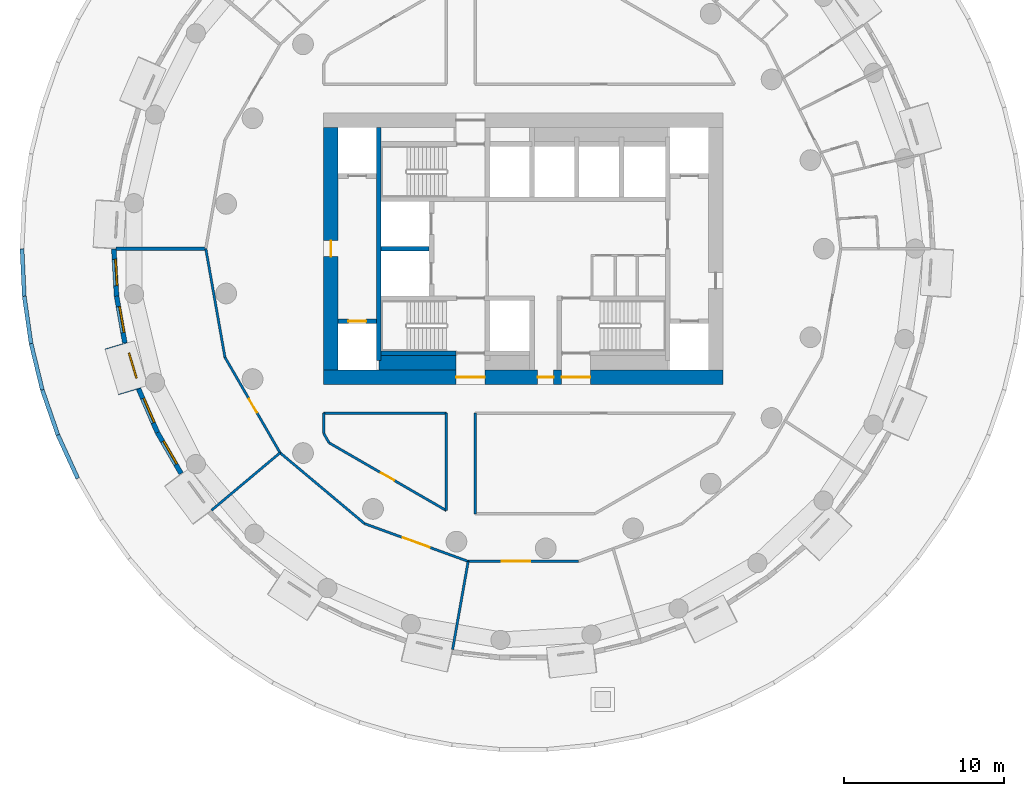
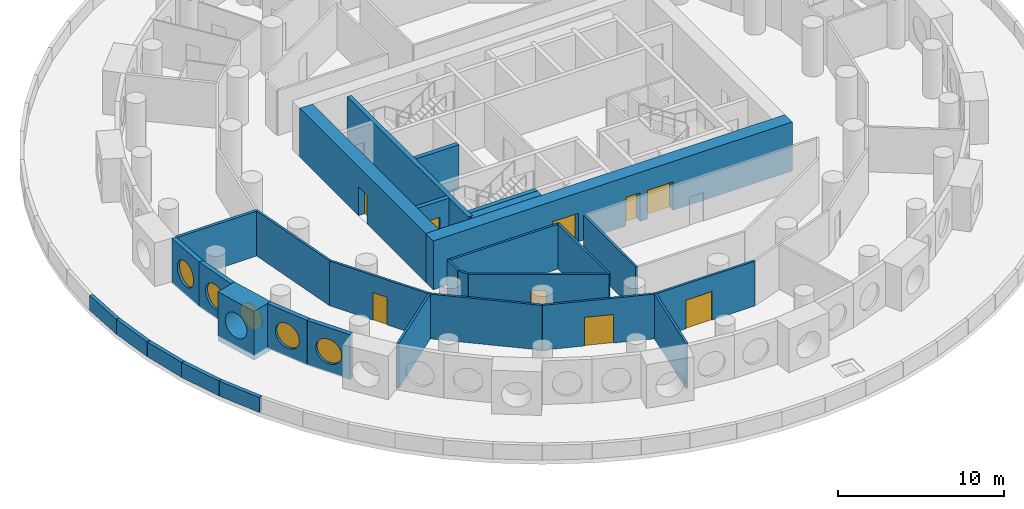
# One storey, part 3 of 13: 31 walls, 9 doors, 5 windows, 14 openings.
"""IFC4 building model written with IfcOpenShell, lengths in metres."""

from ifc_helpers import new_model, si_unit, direction, frame, frame_2d, origin, origin_2d, place, context, subcontext, project, spatial, rectangle, circle, extrude, material, layer, layer_set, type_object, element, fill, save


model = new_model("IFC4")

# Units and contexts
model_context = context("Model", 3, precision=1e-05, world=origin(), true_north=direction((0.0, 1.0)))
body_context = subcontext(model_context, "Body", "Model", "MODEL_VIEW")
ifc_project = project(units=[si_unit("LENGTHUNIT", "METRE"), si_unit("AREAUNIT", "SQUARE_METRE"), si_unit("VOLUMEUNIT", "CUBIC_METRE"), si_unit("PLANEANGLEUNIT", "RADIAN"), si_unit("MASSUNIT", "GRAM", prefix="KILO")], contexts=[model_context])

# Site, building, storey
site_placement = place(None, origin())
site = spatial("IfcSite", under=ifc_project, at=site_placement, CompositionType="ELEMENT")
building_placement = place(site_placement, origin())
building = spatial("IfcBuilding", under=site, at=building_placement, Name="Tracery Tower", CompositionType="ELEMENT")
storey_placement = place(building_placement, frame((0.0, 0.0, 126.0)))
storey = spatial("IfcBuildingStorey", under=building, at=storey_placement, Name="L31", CompositionType="ELEMENT", Elevation=126.0)

# Wall
ifc_material_1 = material(Name="Concrete C50/60", Category="concrete")
ifc_layer_1 = layer(ifc_material_1, 0.89990234375)
ifc_layer_set_1 = layer_set([ifc_layer_1], Name="Core strip wall 900 C50")
wall_type_1 = type_object("IfcWallType", Name="Core strip wall 900 C50", PredefinedType="SOLIDWALL", material=ifc_layer_set_1)
wall_1_placement = place(storey_placement, frame((-9.050048828125, -7.14990234375, 0.0), z_axis=(0.0, 0.0, 1.0), x_axis=(1.0, 0.0, 0.0)))
element("IfcWall", 1, at=wall_1_placement, inside=storey, type_object=wall_type_1, Name="L31 F thick S W", PredefinedType="SOLIDWALL", context=body_context, shape_type="SweptSolid", body=[
    extrude(rectangle(XDim=4.85009765625, YDim=0.89990234375, at=frame_2d((2.425048828125, 0.0))), origin(), (0.0, 0.0, 1.0), 3.300048828125),
])

# Wall, openings, doors
ifc_material_2 = material(Name="Concrete C50/60", Category="concrete")
ifc_layer_2 = layer(ifc_material_2, 0.89990234375)
ifc_layer_set_2 = layer_set([ifc_layer_2], Name="Core wall 900 C50")
wall_type_2 = type_object("IfcWallType", Name="Core wall 900 C50", PredefinedType="SOLIDWALL", material=ifc_layer_set_2)
wall_2_placement = place(storey_placement, frame((-12.5, -8.050048828125, 0.0), z_axis=(0.0, 0.0, 1.0), x_axis=(1.0, 0.0, 0.0)))
wall_2 = element("IfcWall", 2, at=wall_2_placement, inside=storey, type_object=wall_type_2, Name="L31 outer S", PredefinedType="SOLIDWALL", context=body_context, shape_type="SweptSolid", body=[
    extrude(rectangle(XDim=25.0, YDim=0.89990234375, at=frame_2d((12.5, 0.0))), origin(), (0.0, 0.0, 1.0), 3.60009765625),
])
opening_1_placement = place(wall_2_placement, frame((13.39990234375, 0.0, 0.0)))
opening_1 = element("IfcOpeningElement", 3, at=opening_1_placement, cuts=wall_2, Name="Opening KD16", PredefinedType="OPENING", context=body_context, shape_type="SweptSolid", body=[
    extrude(rectangle(XDim=1.0, YDim=2.10009765625, at=frame_2d((0.5, 1.050048828125))), frame((0.0, 0.449951171875, 0.0), z_axis=(0.0, -1.0, 0.0), x_axis=(1.0, 0.0, 0.0)), (0.0, 0.0, 1.0), 0.89990234375),
])
opening_2_placement = place(wall_2_placement, frame((8.300048828125, 0.0, 0.0)))
opening_2 = element("IfcOpeningElement", 4, at=opening_2_placement, cuts=wall_2, Name="Opening KD13", PredefinedType="OPENING", context=body_context, shape_type="SweptSolid", body=[
    extrude(rectangle(XDim=1.800048828125, YDim=2.10009765625, at=frame_2d((0.89990234375, 1.050048828125))), frame((0.0, 0.449951171875, 0.0), z_axis=(0.0, -1.0, 0.0), x_axis=(1.0, 0.0, 0.0)), (0.0, 0.0, 1.0), 0.89990234375),
])
opening_3_placement = place(wall_2_placement, frame((14.89990234375, 0.0, 0.0)))
opening_3 = element("IfcOpeningElement", 5, at=opening_3_placement, cuts=wall_2, Name="Opening KD13", PredefinedType="OPENING", context=body_context, shape_type="SweptSolid", body=[
    extrude(rectangle(XDim=1.800048828125, YDim=2.10009765625, at=frame_2d((0.89990234375, 1.050048828125))), frame((0.0, 0.449951171875, 0.0), z_axis=(0.0, -1.0, 0.0), x_axis=(1.0, 0.0, 0.0)), (0.0, 0.0, 1.0), 0.89990234375),
])
ifc_material_3 = material(Name="Steel fire door", Category="steel")
door_type_1 = type_object("IfcDoorType", Name="Core exit door 1000", OperationType="NOTDEFINED", PredefinedType="DOOR", material=ifc_material_3)
door_1_placement = place(opening_1_placement, origin())
door_1 = element("IfcDoor", 6, at=door_1_placement, inside=storey, type_object=door_type_1, Name="Core exit door", OperationType="SINGLE_SWING_LEFT", OverallHeight=2.10009765625, OverallWidth=1.0, PredefinedType="DOOR", context=body_context, shape_type="SweptSolid", body=[
    extrude(rectangle(XDim=1.0, YDim=2.10009765625, at=frame_2d((0.5, 1.050048828125))), frame((0.0, 0.02490234375, 0.0), z_axis=(0.0, -1.0, 0.0), x_axis=(1.0, 0.0, 0.0)), (0.0, 0.0, 1.0), 0.050048828125),
])
fill(opening_1, door_1)
ifc_material_4 = material(Name="Steel fire door", Category="steel")
door_type_2 = type_object("IfcDoorType", Name="Core exit door 1800 double", OperationType="NOTDEFINED", PredefinedType="DOOR", material=ifc_material_4)
door_2_placement = place(opening_2_placement, origin())
door_2 = element("IfcDoor", 7, at=door_2_placement, inside=storey, type_object=door_type_2, Name="Core exit door", OperationType="DOUBLE_DOOR_SINGLE_SWING", OverallHeight=2.10009765625, OverallWidth=1.800048828125, PredefinedType="DOOR", context=body_context, shape_type="SweptSolid", body=[
    extrude(rectangle(XDim=1.800048828125, YDim=2.10009765625, at=frame_2d((0.89990234375, 1.050048828125))), frame((0.0, 0.02490234375, 0.0), z_axis=(0.0, -1.0, 0.0), x_axis=(1.0, 0.0, 0.0)), (0.0, 0.0, 1.0), 0.050048828125),
])
fill(opening_2, door_2)
door_3_placement = place(opening_3_placement, origin())
door_3 = element("IfcDoor", 8, at=door_3_placement, inside=storey, type_object=door_type_2, Name="Core exit door", OperationType="DOUBLE_DOOR_SINGLE_SWING", OverallHeight=2.10009765625, OverallWidth=1.800048828125, PredefinedType="DOOR", context=body_context, shape_type="SweptSolid", body=[
    extrude(rectangle(XDim=1.800048828125, YDim=2.10009765625, at=frame_2d((0.89990234375, 1.050048828125))), frame((0.0, 0.02490234375, 0.0), z_axis=(0.0, -1.0, 0.0), x_axis=(1.0, 0.0, 0.0)), (0.0, 0.0, 1.0), 0.050048828125),
])
fill(opening_3, door_3)

# Wall, opening, door
wall_3_placement = place(storey_placement, frame((-12.050048828125, -7.60009765625, 0.0), z_axis=(0.0, 0.0, 1.0), x_axis=(0.0, 1.0, 0.0)))
wall_3 = element("IfcWall", 9, at=wall_3_placement, inside=storey, type_object=wall_type_2, Name="L31 outer W", PredefinedType="SOLIDWALL", context=body_context, shape_type="SweptSolid", body=[
    extrude(rectangle(XDim=15.2001953125, YDim=0.89990234375, at=frame_2d((7.60009765625, 0.0))), origin(), (0.0, 0.0, 1.0), 3.60009765625),
])
opening_4_placement = place(wall_3_placement, frame((7.10009765625, 0.0, 0.0)))
opening_4 = element("IfcOpeningElement", 10, at=opening_4_placement, cuts=wall_3, Name="Opening KD18", PredefinedType="OPENING", context=body_context, shape_type="SweptSolid", body=[
    extrude(rectangle(XDim=1.0, YDim=2.10009765625, at=frame_2d((0.5, 1.050048828125))), frame((0.0, 0.449951171875, 0.0), z_axis=(0.0, -1.0, 0.0), x_axis=(1.0, 0.0, 0.0)), (0.0, 0.0, 1.0), 0.89990234375),
])
door_4_placement = place(opening_4_placement, origin())
door_4 = element("IfcDoor", 11, at=door_4_placement, inside=storey, type_object=door_type_1, Name="Core exit door", OperationType="DOUBLE_DOOR_SINGLE_SWING", OverallHeight=2.10009765625, OverallWidth=1.0, PredefinedType="DOOR", context=body_context, shape_type="SweptSolid", body=[
    extrude(rectangle(XDim=1.0, YDim=2.10009765625, at=frame_2d((0.5, 1.050048828125))), frame((0.0, 0.02490234375, 0.0), z_axis=(0.0, -1.0, 0.0), x_axis=(1.0, 0.0, 0.0)), (0.0, 0.0, 1.0), 0.050048828125),
])
fill(opening_4, door_4)

# Wall, opening, window
ifc_material_5 = material(Name="Precast concrete C50/60", Category="concrete")
ifc_layer_3 = layer(ifc_material_5, 1.449951171875)
ifc_layer_set_3 = layer_set([ifc_layer_3], Name="Deep-set bay unit 3000 x 3600, slab edge 300")
wall_type_3 = type_object("IfcWallType", Name="Deep-set bay unit 3000 x 3600, slab edge 300", PredefinedType="ELEMENTEDWALL", material=ifc_layer_set_3)
wall_4_placement = place(storey_placement, frame((-25.509521484375, -6.0712890625, -0.300048828125), z_axis=(0.0, 0.0, 1.0), x_axis=(0.286780420304, -0.957996341606, 0.0)))
wall_4 = element("IfcWall", 12, at=wall_4_placement, inside=storey, type_object=wall_type_3, Name="Deep-set bay unit 30 at L31", PredefinedType="ELEMENTEDWALL", context=body_context, shape_type="SweptSolid", body=[
    extrude(rectangle(XDim=3.0, YDim=1.449951171875, at=frame_2d((1.5, 0.0))), origin(), (0.0, 0.0, 1.0), 3.60009765625),
])
opening_5_placement = place(wall_4_placement, frame((1.5, 0.0, 1.85009765625)))
opening_5 = element("IfcOpeningElement", 13, at=opening_5_placement, cuts=wall_4, Name="Opening WN1", PredefinedType="OPENING", context=body_context, shape_type="SweptSolid", body=[
    extrude(circle(Radius=0.9000244140625, at=origin_2d()), frame((0.0, 0.73486328125, 0.0), z_axis=(0.0, -1.0, 0.0), x_axis=(1.0, 0.0, 0.0)), (0.0, 0.0, 1.0), 1.469970703125),
])
ifc_material_6 = material(Name="Aluminium frame with tinted double glazing", Category="aluminium")
window_type = type_object("IfcWindowType", Name="Round window 1800", PartitioningType="SINGLE_PANEL", PredefinedType="WINDOW", material=ifc_material_6)
window_1_placement = place(opening_5_placement, origin())
window_1 = element("IfcWindow", 14, at=window_1_placement, inside=storey, type_object=window_type, Name="Round window 30 at L31", OverallHeight=1.800048828125, OverallWidth=1.800048828125, PartitioningType="SINGLE_PANEL", PredefinedType="WINDOW", context=body_context, shape_type="SweptSolid", body=[
    extrude(circle(Radius=0.9000244140625, at=origin_2d()), frame((0.0, 0.69482421875, 0.0), z_axis=(0.0, -1.0, 0.0), x_axis=(1.0, 0.0, 0.0)), (0.0, 0.0, 1.0), 0.10009765625),
])
fill(opening_5, window_1)

ifc_material_7 = material(Name="Precast concrete C50/60", Category="concrete")
ifc_layer_4 = layer(ifc_material_7, 0.300048828125)
ifc_layer_set_4 = layer_set([ifc_layer_4], Name="Facade panel 3000 x 3300")
wall_type_4 = type_object("IfcWallType", Name="Facade panel 3000 x 3300", PredefinedType="SOLIDWALL", material=ifc_layer_set_4)
wall_5_placement = place(storey_placement, frame((-25.64697265625, -0.009521484375, 0.0), z_axis=(0.0, 0.0, 1.0), x_axis=(0.058139540521, -0.998308466271, 0.0)))
wall_5 = element("IfcWall", 15, at=wall_5_placement, inside=storey, type_object=wall_type_4, Name="Facade panel 28 at L31", PredefinedType="SOLIDWALL", context=body_context, shape_type="SweptSolid", body=[
    extrude(rectangle(XDim=2.97314453125, YDim=0.300048828125, at=frame_2d((1.486572265625, 0.0))), origin(), (0.0, 0.0, 1.0), 3.300048828125),
])
opening_6_placement = place(wall_5_placement, frame((1.486328125, 0.0, 1.5498046875)))
opening_6 = element("IfcOpeningElement", 16, at=opening_6_placement, cuts=wall_5, Name="Opening WN1", PredefinedType="OPENING", context=body_context, shape_type="SweptSolid", body=[
    extrude(circle(Radius=0.9000244140625, at=origin_2d()), frame((0.0, 0.159912109375, 0.0), z_axis=(0.0, -1.0, 0.0), x_axis=(1.0, 0.0, 0.0)), (0.0, 0.0, 1.0), 0.320068359375),
])
window_2_placement = place(opening_6_placement, origin())
window_2 = element("IfcWindow", 17, at=window_2_placement, inside=storey, type_object=window_type, Name="Round window 28 at L31", OverallHeight=1.800048828125, OverallWidth=1.800048828125, PartitioningType="SINGLE_PANEL", PredefinedType="WINDOW", context=body_context, shape_type="SweptSolid", body=[
    extrude(circle(Radius=0.9000244140625, at=origin_2d()), frame((0.0, 0.1201171875, 0.0), z_axis=(0.0, -1.0, 0.0), x_axis=(1.0, 0.0, 0.0)), (0.0, 0.0, 1.0), 0.10009765625),
])
fill(opening_6, window_2)

wall_6_placement = place(storey_placement, frame((-25.47412109375, -2.9775390625, 0.0), z_axis=(0.0, 0.0, 1.0), x_axis=(0.173686952598, -0.984800915159, 0.0)))
wall_6 = element("IfcWall", 18, at=wall_6_placement, inside=storey, type_object=wall_type_4, Name="Facade panel 29 at L31", PredefinedType="SOLIDWALL", context=body_context, shape_type="SweptSolid", body=[
    extrude(rectangle(XDim=2.972900390625, YDim=0.300048828125, at=frame_2d((1.486328125, 0.0))), origin(), (0.0, 0.0, 1.0), 3.300048828125),
])
opening_7_placement = place(wall_6_placement, frame((1.486328125, 0.0, 1.5498046875)))
opening_7 = element("IfcOpeningElement", 19, at=opening_7_placement, cuts=wall_6, Name="Opening WN1", PredefinedType="OPENING", context=body_context, shape_type="SweptSolid", body=[
    extrude(circle(Radius=0.9000244140625, at=origin_2d()), frame((0.0, 0.159912109375, 0.0), z_axis=(0.0, -1.0, 0.0), x_axis=(1.0, 0.0, 0.0)), (0.0, 0.0, 1.0), 0.320068359375),
])
window_3_placement = place(opening_7_placement, origin())
window_3 = element("IfcWindow", 20, at=window_3_placement, inside=storey, type_object=window_type, Name="Round window 29 at L31", OverallHeight=1.800048828125, OverallWidth=1.800048828125, PartitioningType="SINGLE_PANEL", PredefinedType="WINDOW", context=body_context, shape_type="SweptSolid", body=[
    extrude(circle(Radius=0.9000244140625, at=origin_2d()), frame((0.0, 0.1201171875, 0.0), z_axis=(0.0, -1.0, 0.0), x_axis=(1.0, 0.0, 0.0)), (0.0, 0.0, 1.0), 0.10009765625),
])
fill(opening_7, window_3)

wall_7_placement = place(storey_placement, frame((-24.096923828125, -8.78076171875, 0.0), z_axis=(0.0, 0.0, 1.0), x_axis=(0.396078892785, -0.918216483565, 0.0)))
wall_7 = element("IfcWall", 21, at=wall_7_placement, inside=storey, type_object=wall_type_4, Name="Facade panel 31 at L31", PredefinedType="SOLIDWALL", context=body_context, shape_type="SweptSolid", body=[
    extrude(rectangle(XDim=2.972900390625, YDim=0.300048828125, at=frame_2d((1.486328125, 0.0))), origin(), (0.0, 0.0, 1.0), 3.300048828125),
])
opening_8_placement = place(wall_7_placement, frame((1.486328125, 0.0, 1.5498046875)))
opening_8 = element("IfcOpeningElement", 22, at=opening_8_placement, cuts=wall_7, Name="Opening WN1", PredefinedType="OPENING", context=body_context, shape_type="SweptSolid", body=[
    extrude(circle(Radius=0.9000244140625, at=origin_2d()), frame((0.0, 0.159912109375, 0.0), z_axis=(0.0, -1.0, 0.0), x_axis=(1.0, 0.0, 0.0)), (0.0, 0.0, 1.0), 0.320068359375),
])
window_4_placement = place(opening_8_placement, origin())
window_4 = element("IfcWindow", 23, at=window_4_placement, inside=storey, type_object=window_type, Name="Round window 31 at L31", OverallHeight=1.800048828125, OverallWidth=1.800048828125, PartitioningType="SINGLE_PANEL", PredefinedType="WINDOW", context=body_context, shape_type="SweptSolid", body=[
    extrude(circle(Radius=0.9000244140625, at=origin_2d()), frame((0.0, 0.1201171875, 0.0), z_axis=(0.0, -1.0, 0.0), x_axis=(1.0, 0.0, 0.0)), (0.0, 0.0, 1.0), 0.10009765625),
])
fill(opening_8, window_4)

wall_8_placement = place(storey_placement, frame((-22.91943359375, -11.510498046875, 0.0), z_axis=(0.0, 0.0, 1.0), x_axis=(0.500016263033, -0.866016014115, 0.0)))
wall_8 = element("IfcWall", 24, at=wall_8_placement, inside=storey, type_object=wall_type_4, Name="Facade panel 32 at L31", PredefinedType="SOLIDWALL", context=body_context, shape_type="SweptSolid", body=[
    extrude(rectangle(XDim=2.97314453125, YDim=0.300048828125, at=frame_2d((1.486572265625, 0.0))), origin(), (0.0, 0.0, 1.0), 3.300048828125),
])
opening_9_placement = place(wall_8_placement, frame((1.486328125, 0.0, 1.5498046875)))
opening_9 = element("IfcOpeningElement", 25, at=opening_9_placement, cuts=wall_8, Name="Opening WN1", PredefinedType="OPENING", context=body_context, shape_type="SweptSolid", body=[
    extrude(circle(Radius=0.9000244140625, at=origin_2d()), frame((0.0, 0.159912109375, 0.0), z_axis=(0.0, -1.0, 0.0), x_axis=(1.0, 0.0, 0.0)), (0.0, 0.0, 1.0), 0.320068359375),
])
window_5_placement = place(opening_9_placement, origin())
window_5 = element("IfcWindow", 26, at=window_5_placement, inside=storey, type_object=window_type, Name="Round window 32 at L31", OverallHeight=1.800048828125, OverallWidth=1.800048828125, PartitioningType="SINGLE_PANEL", PredefinedType="WINDOW", context=body_context, shape_type="SweptSolid", body=[
    extrude(circle(Radius=0.9000244140625, at=origin_2d()), frame((0.0, 0.1201171875, 0.0), z_axis=(0.0, -1.0, 0.0), x_axis=(1.0, 0.0, 0.0)), (0.0, 0.0, 1.0), 0.10009765625),
])
fill(opening_9, window_5)

# Walls
ifc_material_8 = material(Name="Plasterboard on steel studs", Category="steel")
ifc_layer_5 = layer(ifc_material_8, 0.14990234375)
ifc_layer_set_5 = layer_set([ifc_layer_5], Name="Partition 150 acoustic unit wall")
wall_type_5 = type_object("IfcWallType", Name="Partition 150 acoustic unit wall", PredefinedType="PARTITIONING", material=ifc_layer_set_5)
wall_9_placement = place(storey_placement, frame((-19.531982421875, -16.388916015625, 0.0), z_axis=(0.0, 0.0, 1.0), x_axis=(0.76609059793, 0.642732600514, 0.0)))
element("IfcWall", 27, at=wall_9_placement, inside=storey, type_object=wall_type_5, Name="Unit wall RB1-077", PredefinedType="PARTITIONING", context=body_context, shape_type="SweptSolid", body=[
    extrude(rectangle(XDim=5.60888671875, YDim=0.14990234375, at=frame_2d((2.804443359375, 0.0))), origin(), (0.0, 0.0, 1.0), 3.300048828125),
])
wall_10_placement = place(storey_placement, frame((-4.427978515625, -25.110107421875, 0.0), z_axis=(0.0, 0.0, 1.0), x_axis=(0.17382754149, 0.984776109489, 0.0)))
element("IfcWall", 28, at=wall_10_placement, inside=storey, type_object=wall_type_5, Name="Unit wall RB1-078", PredefinedType="PARTITIONING", context=body_context, shape_type="SweptSolid", body=[
    extrude(rectangle(XDim=5.609619140625, YDim=0.14990234375, at=frame_2d((2.8046875, 0.0))), origin(), (0.0, 0.0, 1.0), 3.300048828125),
])
ifc_material_9 = material(Name="Plasterboard on steel studs", Category="steel")
ifc_layer_6 = layer(ifc_material_9, 0.14990234375)
ifc_layer_set_6 = layer_set([ifc_layer_6], Name="Partition 150 corridor wall")
wall_type_6 = type_object("IfcWallType", Name="Partition 150 corridor wall", PredefinedType="PARTITIONING", material=ifc_layer_set_6)
wall_11_placement = place(storey_placement, frame((-12.50390625, -10.300048828125, 0.0), z_axis=(0.0, 0.0, 1.0), x_axis=(1.0, 0.0, 0.0)))
element("IfcWall", 29, at=wall_11_placement, inside=storey, type_object=wall_type_6, Name="Corridor wall RB1-003", PredefinedType="PARTITIONING", context=body_context, shape_type="SweptSolid", body=[
    extrude(rectangle(XDim=7.68701171875, YDim=0.14990234375, at=frame_2d((3.843505859375, 0.0))), origin(), (0.0, 0.0, 1.0), 3.300048828125),
])
wall_12_placement = place(storey_placement, frame((-12.5, -11.576904296875, 0.0), z_axis=(0.0, 0.0, 1.0), x_axis=(0.0, 1.0, 0.0)))
element("IfcWall", 30, at=wall_12_placement, inside=storey, type_object=wall_type_6, Name="Corridor wall RB1-025", PredefinedType="PARTITIONING", context=body_context, shape_type="SweptSolid", body=[
    extrude(rectangle(XDim=1.27685546875, YDim=0.14990234375, at=frame_2d((0.638427734375, 0.0))), origin(), (0.0, 0.0, 1.0), 3.300048828125),
])
wall_13_placement = place(storey_placement, frame((-12.5, -11.576904296875, 0.0), z_axis=(0.0, 0.0, 1.0), x_axis=(0.500024767483, -0.866011103799, 0.0)))
element("IfcWall", 31, at=wall_13_placement, inside=storey, type_object=wall_type_6, Name="Corridor wall RB1-026", PredefinedType="PARTITIONING", context=body_context, shape_type="SweptSolid", body=[
    extrude(rectangle(XDim=0.67578125, YDim=0.14990234375, at=frame_2d((0.337890625, 0.0))), origin(), (0.0, 0.0, 1.0), 3.300048828125),
])

# Wall, opening, door
wall_14_placement = place(storey_placement, frame((-18.68798828125, -6.802001953125, 0.0), z_axis=(0.0, 0.0, 1.0), x_axis=(0.499914202267, -0.866074933462, 0.0)))
wall_14 = element("IfcWall", 32, at=wall_14_placement, inside=storey, type_object=wall_type_6, Name="Corridor wall RB1-029", PredefinedType="PARTITIONING", context=body_context, shape_type="SweptSolid", body=[
    extrude(rectangle(XDim=6.906982421875, YDim=0.14990234375, at=frame_2d((3.45361328125, 0.0))), origin(), (0.0, 0.0, 1.0), 3.300048828125),
])
opening_10_placement = place(wall_14_placement, frame((3.003173828125, 0.0, 0.0)))
opening_10 = element("IfcOpeningElement", 33, at=opening_10_placement, cuts=wall_14, Name="Opening RB1-27", PredefinedType="OPENING", context=body_context, shape_type="SweptSolid", body=[
    extrude(rectangle(XDim=1.0, YDim=2.0400390625, at=frame_2d((0.5, 1.02001953125))), frame((0.0, 0.074951171875, 0.0), z_axis=(0.0, -1.0, 0.0), x_axis=(1.0, 0.0, 0.0)), (0.0, 0.0, 1.0), 0.14990234375),
])
ifc_material_10 = material(Name="Timber door leaf", Category="wood")
door_type_3 = type_object("IfcDoorType", Name="Door communal room 1000", OperationType="NOTDEFINED", PredefinedType="DOOR", material=ifc_material_10)
door_5_placement = place(opening_10_placement, origin())
door_5 = element("IfcDoor", 34, at=door_5_placement, inside=storey, type_object=door_type_3, Name="Communal room door RB1-27", OperationType="SINGLE_SWING_LEFT", OverallHeight=2.0400390625, OverallWidth=1.0, PredefinedType="DOOR", context=body_context, shape_type="SweptSolid", body=[
    extrude(rectangle(XDim=1.0, YDim=2.0400390625, at=frame_2d((0.5, 1.02001953125))), frame((0.0, 0.02490234375, 0.0), z_axis=(0.0, -1.0, 0.0), x_axis=(1.0, 0.0, 0.0)), (0.0, 0.0, 1.0), 0.050048828125),
])
fill(opening_10, door_5)

# Walls
wall_15_placement = place(storey_placement, frame((-19.887939453125, 0.0, 0.0), z_axis=(0.0, 0.0, 1.0), x_axis=(0.173728873845, -0.98479352069, 0.0)))
element("IfcWall", 35, at=wall_15_placement, inside=storey, type_object=wall_type_6, Name="Corridor wall RB1-030", PredefinedType="PARTITIONING", context=body_context, shape_type="SweptSolid", body=[
    extrude(rectangle(XDim=6.906982421875, YDim=0.14990234375, at=frame_2d((3.45361328125, 0.0))), origin(), (0.0, 0.0, 1.0), 3.300048828125),
])
wall_16_placement = place(storey_placement, frame((-15.235107421875, -12.783935546875, 0.0), z_axis=(0.0, 0.0, 1.0), x_axis=(0.766192104565, -0.642611592567, 0.0)))
element("IfcWall", 36, at=wall_16_placement, inside=storey, type_object=wall_type_6, Name="Corridor wall RB1-031", PredefinedType="PARTITIONING", context=body_context, shape_type="SweptSolid", body=[
    extrude(rectangle(XDim=6.906494140625, YDim=0.14990234375, at=frame_2d((3.453125, 0.0))), origin(), (0.0, 0.0, 1.0), 3.300048828125),
])

# Wall, opening, door
wall_17_placement = place(storey_placement, frame((-12.162109375, -12.162109375, 0.0), z_axis=(0.0, 0.0, 1.0), x_axis=(0.866004766557, -0.500035743023, 0.0)))
wall_17 = element("IfcWall", 37, at=wall_17_placement, inside=storey, type_object=wall_type_6, Name="Corridor wall RB1-032", PredefinedType="PARTITIONING", context=body_context, shape_type="SweptSolid", body=[
    extrude(rectangle(XDim=8.47705078125, YDim=0.14990234375, at=frame_2d((4.238525390625, 0.0))), origin(), (0.0, 0.0, 1.0), 3.300048828125),
])
opening_11_placement = place(wall_17_placement, frame((3.762939453125, 0.0, 0.0)))
opening_11 = element("IfcOpeningElement", 38, at=opening_11_placement, cuts=wall_17, Name="Opening RB1-03", PredefinedType="OPENING", context=body_context, shape_type="SweptSolid", body=[
    extrude(rectangle(XDim=0.949951171875, YDim=2.10009765625, at=frame_2d((0.47509765625, 1.050048828125))), frame((0.0, 0.074951171875, 0.0), z_axis=(0.0, -1.0, 0.0), x_axis=(1.0, 0.0, 0.0)), (0.0, 0.0, 1.0), 0.14990234375),
])
ifc_material_11 = material(Name="Timber door leaf", Category="wood")
door_type_4 = type_object("IfcDoorType", Name="Door store 950", OperationType="NOTDEFINED", PredefinedType="DOOR", material=ifc_material_11)
door_6_placement = place(opening_11_placement, origin())
door_6 = element("IfcDoor", 39, at=door_6_placement, inside=storey, type_object=door_type_4, Name="Store door RB1-03", OperationType="SINGLE_SWING_LEFT", OverallHeight=2.10009765625, OverallWidth=0.949951171875, PredefinedType="DOOR", context=body_context, shape_type="SweptSolid", body=[
    extrude(rectangle(XDim=0.949951171875, YDim=2.10009765625, at=frame_2d((0.47509765625, 1.050048828125))), frame((0.0, 0.02490234375, 0.0), z_axis=(0.0, -1.0, 0.0), x_axis=(1.0, 0.0, 0.0)), (0.0, 0.0, 1.0), 0.050048828125),
])
fill(opening_11, door_6)

# Walls
wall_18_placement = place(storey_placement, frame((-4.821044921875, -16.40087890625, 0.0), z_axis=(0.0, 0.0, 1.0), x_axis=(0.0, 1.0, 0.0)))
element("IfcWall", 40, at=wall_18_placement, inside=storey, type_object=wall_type_6, Name="Corridor wall RB1-033", PredefinedType="PARTITIONING", context=body_context, shape_type="SweptSolid", body=[
    extrude(rectangle(XDim=6.100830078125, YDim=0.14990234375, at=frame_2d((3.05029296875, 0.0))), origin(), (0.0, 0.0, 1.0), 3.300048828125),
])
wall_19_placement = place(storey_placement, frame((-3.02099609375, -16.614013671875, 0.0), z_axis=(0.0, 0.0, 1.0), x_axis=(0.0, 1.0, 0.0)))
element("IfcWall", 41, at=wall_19_placement, inside=storey, type_object=wall_type_6, Name="Corridor wall RB1-034", PredefinedType="PARTITIONING", context=body_context, shape_type="SweptSolid", body=[
    extrude(rectangle(XDim=6.31396484375, YDim=0.14990234375, at=frame_2d((3.156982421875, 0.0))), origin(), (0.0, 0.0, 1.0), 3.300048828125),
])

# Wall, opening, door
wall_20_placement = place(storey_placement, frame((-9.944091796875, -17.222900390625, 0.0), z_axis=(0.0, 0.0, 1.0), x_axis=(0.939672634566, -0.342075050021, 0.0)))
wall_20 = element("IfcWall", 42, at=wall_20_placement, inside=storey, type_object=wall_type_6, Name="Corridor wall RB1-037", PredefinedType="PARTITIONING", context=body_context, shape_type="SweptSolid", body=[
    extrude(rectangle(XDim=6.907958984375, YDim=0.14990234375, at=frame_2d((3.4541015625, 0.0))), origin(), (0.0, 0.0, 1.0), 3.300048828125),
])
opening_12_placement = place(wall_20_placement, frame((2.5537109375, 0.0, 0.0)))
opening_12 = element("IfcOpeningElement", 43, at=opening_12_placement, cuts=wall_20, Name="Opening RB1-28", PredefinedType="OPENING", context=body_context, shape_type="SweptSolid", body=[
    extrude(rectangle(XDim=1.800048828125, YDim=2.10009765625, at=frame_2d((0.89990234375, 1.050048828125))), frame((0.0, 0.074951171875, 0.0), z_axis=(0.0, -1.0, 0.0), x_axis=(1.0, 0.0, 0.0)), (0.0, 0.0, 1.0), 0.14990234375),
])
ifc_material_12 = material(Name="Timber door leaf", Category="wood")
door_type_5 = type_object("IfcDoorType", Name="Door double lounge 1800", OperationType="NOTDEFINED", PredefinedType="DOOR", material=ifc_material_12)
door_7_placement = place(opening_12_placement, origin())
door_7 = element("IfcDoor", 44, at=door_7_placement, inside=storey, type_object=door_type_5, Name="Double lounge door RB1-28", OperationType="DOUBLE_DOOR_SINGLE_SWING", OverallHeight=2.10009765625, OverallWidth=1.800048828125, PredefinedType="DOOR", context=body_context, shape_type="SweptSolid", body=[
    extrude(rectangle(XDim=1.800048828125, YDim=2.10009765625, at=frame_2d((0.89990234375, 1.050048828125))), frame((0.0, 0.02490234375, 0.0), z_axis=(0.0, -1.0, 0.0), x_axis=(1.0, 0.0, 0.0)), (0.0, 0.0, 1.0), 0.050048828125),
])
fill(opening_12, door_7)

wall_21_placement = place(storey_placement, frame((-3.452880859375, -19.5859375, 0.0), z_axis=(0.0, 0.0, 1.0), x_axis=(1.0, 0.0, 0.0)))
wall_21 = element("IfcWall", 45, at=wall_21_placement, inside=storey, type_object=wall_type_6, Name="Corridor wall RB1-039", PredefinedType="PARTITIONING", context=body_context, shape_type="SweptSolid", body=[
    extrude(rectangle(XDim=6.90576171875, YDim=0.14990234375, at=frame_2d((3.452880859375, 0.0))), origin(), (0.0, 0.0, 1.0), 3.300048828125),
])
opening_13_placement = place(wall_21_placement, frame((2.10302734375, 0.0, 0.0)))
opening_13 = element("IfcOpeningElement", 46, at=opening_13_placement, cuts=wall_21, Name="Opening RB1-29", PredefinedType="OPENING", context=body_context, shape_type="SweptSolid", body=[
    extrude(rectangle(XDim=1.800048828125, YDim=2.10009765625, at=frame_2d((0.89990234375, 1.050048828125))), frame((0.0, 0.074951171875, 0.0), z_axis=(0.0, -1.0, 0.0), x_axis=(1.0, 0.0, 0.0)), (0.0, 0.0, 1.0), 0.14990234375),
])
door_8_placement = place(opening_13_placement, origin())
door_8 = element("IfcDoor", 47, at=door_8_placement, inside=storey, type_object=door_type_5, Name="Double lounge door RB1-29", OperationType="DOUBLE_DOOR_SINGLE_SWING", OverallHeight=2.10009765625, OverallWidth=1.800048828125, PredefinedType="DOOR", context=body_context, shape_type="SweptSolid", body=[
    extrude(rectangle(XDim=1.800048828125, YDim=2.10009765625, at=frame_2d((0.89990234375, 1.050048828125))), frame((0.0, 0.02490234375, 0.0), z_axis=(0.0, -1.0, 0.0), x_axis=(1.0, 0.0, 0.0)), (0.0, 0.0, 1.0), 0.050048828125),
])
fill(opening_13, door_8)

# Walls
ifc_material_13 = material(Name="Plasterboard on steel studs", Category="steel")
ifc_layer_7 = layer(ifc_material_13, 0.199951171875)
ifc_layer_set_7 = layer_set([ifc_layer_7], Name="Partition 200 compartment wall")
wall_type_7 = type_object("IfcWallType", Name="Partition 200 compartment wall", PredefinedType="PARTITIONING", material=ifc_layer_set_7)
wall_22_placement = place(storey_placement, frame((-25.4970703125, 0.0, 0.0), z_axis=(0.0, 0.0, 1.0), x_axis=(1.0, 0.0, 0.0)))
element("IfcWall", 48, at=wall_22_placement, inside=storey, type_object=wall_type_7, Name="Compartment wall RB1-076", PredefinedType="PARTITIONING", context=body_context, shape_type="SweptSolid", body=[
    extrude(rectangle(XDim=5.609130859375, YDim=0.199951171875, at=frame_2d((2.8046875, 0.0))), origin(), (0.0, 0.0, 1.0), 3.300048828125),
])
ifc_material_14 = material(Name="Concrete C50/60", Category="concrete")
ifc_layer_8 = layer(ifc_material_14, 0.300048828125)
ifc_layer_set_8 = layer_set([ifc_layer_8], Name="Shaft wall 300 C50")
wall_type_8 = type_object("IfcWallType", Name="Shaft wall 300 C50", PredefinedType="SOLIDWALL", material=ifc_layer_set_8)
wall_23_placement = place(storey_placement, frame((-8.89990234375, 0.0, 0.0), z_axis=(0.0, 0.0, 1.0), x_axis=(1.0, 0.0, 0.0)))
element("IfcWall", 49, at=wall_23_placement, inside=storey, type_object=wall_type_8, Name="L31 FF split", PredefinedType="SOLIDWALL", context=body_context, shape_type="SweptSolid", body=[
    extrude(rectangle(XDim=3.0, YDim=0.300048828125, at=frame_2d((1.5, 0.0))), origin(), (0.0, 0.0, 1.0), 3.300048828125),
])

# Wall, opening, door
wall_24_placement = place(storey_placement, frame((-11.60009765625, -4.550048828125, 0.0), z_axis=(0.0, 0.0, 1.0), x_axis=(1.0, 0.0, 0.0)))
wall_24 = element("IfcWall", 50, at=wall_24_placement, inside=storey, type_object=wall_type_8, Name="L31 MR W -4.55", PredefinedType="SOLIDWALL", context=body_context, shape_type="SweptSolid", body=[
    extrude(rectangle(XDim=2.400146484375, YDim=0.300048828125, at=frame_2d((1.2001953125, 0.0))), origin(), (0.0, 0.0, 1.0), 3.300048828125),
])
opening_14_placement = place(wall_24_placement, frame((0.64990234375, 0.0, 0.0)))
opening_14 = element("IfcOpeningElement", 51, at=opening_14_placement, cuts=wall_24, Name="Opening KD50", PredefinedType="OPENING", context=body_context, shape_type="SweptSolid", body=[
    extrude(rectangle(XDim=1.10009765625, YDim=2.10009765625, at=frame_2d((0.550048828125, 1.050048828125))), frame((0.0, 0.14990234375, 0.0), z_axis=(0.0, -1.0, 0.0), x_axis=(1.0, 0.0, 0.0)), (0.0, 0.0, 1.0), 0.300048828125),
])
ifc_material_15 = material(Name="Steel fire door", Category="steel")
door_type_6 = type_object("IfcDoorType", Name="Landing door 1100", OperationType="NOTDEFINED", PredefinedType="DOOR", material=ifc_material_15)
door_9_placement = place(opening_14_placement, origin())
door_9 = element("IfcDoor", 52, at=door_9_placement, inside=storey, type_object=door_type_6, Name="Landing door MR1", OperationType="SLIDING_TO_RIGHT", OverallHeight=2.10009765625, OverallWidth=1.10009765625, PredefinedType="DOOR", context=body_context, shape_type="SweptSolid", body=[
    extrude(rectangle(XDim=1.10009765625, YDim=2.10009765625, at=frame_2d((0.550048828125, 1.050048828125))), frame((0.0, 0.02490234375, 0.0), z_axis=(0.0, -1.0, 0.0), x_axis=(1.0, 0.0, 0.0)), (0.0, 0.0, 1.0), 0.050048828125),
])
fill(opening_14, door_9)

# Walls
ifc_material_16 = material(Name="Concrete C50/60", Category="concrete")
ifc_layer_9 = layer(ifc_material_16, 0.300048828125)
ifc_layer_set_9 = layer_set([ifc_layer_9], Name="Stair wall 300 C50")
wall_type_9 = type_object("IfcWallType", Name="Stair wall 300 C50", PredefinedType="SOLIDWALL", material=ifc_layer_set_9)
wall_25_placement = place(storey_placement, frame((-9.050048828125, -7.0, 0.0), z_axis=(0.0, 0.0, 1.0), x_axis=(0.0, 1.0, 0.0)))
element("IfcWall", 53, at=wall_25_placement, inside=storey, type_object=wall_type_9, Name="L31 F wall -9", PredefinedType="SOLIDWALL", context=body_context, shape_type="SweptSolid", body=[
    extrude(rectangle(XDim=14.60009765625, YDim=0.300048828125, at=frame_2d((7.300048828125, 0.0))), origin(), (0.0, 0.0, 1.0), 3.300048828125),
])
wall_26_placement = place(storey_placement, frame((-8.89990234375, -6.550048828125, 0.0), z_axis=(0.0, 0.0, 1.0), x_axis=(1.0, 0.0, 0.0)))
element("IfcWall", 54, at=wall_26_placement, inside=storey, type_object=wall_type_9, Name="L31 F stair strip S W", PredefinedType="SOLIDWALL", context=body_context, shape_type="SweptSolid", body=[
    extrude(rectangle(XDim=4.699951171875, YDim=0.300048828125, at=frame_2d((2.35009765625, 0.0))), origin(), (0.0, 0.0, 1.0), 3.300048828125),
])
ifc_material_17 = material(Name="Precast concrete C50/60", Category="concrete")
ifc_layer_10 = layer(ifc_material_17, 0.25)
ifc_layer_set_10 = layer_set([ifc_layer_10], Name="Terrace parapet 250")
wall_type_10 = type_object("IfcWallType", Name="Terrace parapet 250", PredefinedType="PARAPET", material=ifc_layer_set_10)
wall_27_placement = place(storey_placement, frame((-31.399169921875, -0.0068359375, 0.0), z_axis=(0.0, 0.0, 1.0), x_axis=(0.04760804787, -0.998866094018, 0.0)))
element("IfcWall", 55, at=wall_27_placement, inside=storey, type_object=wall_type_10, Name="Terrace parapet L31 34", PredefinedType="PARAPET", context=body_context, shape_type="SweptSolid", body=[
    extrude(rectangle(XDim=2.974365234375, YDim=0.25, at=frame_2d((1.4873046875, 0.0))), origin(), (0.0, 0.0, 1.0), 1.10009765625),
])
for number, where, z_axis, x_axis, name in (
    (56, (-31.25634765625, -2.99169921875, 0.0), (0.0, 0.0, 1.0), (0.142340681425, -0.989817725852, 0.0), "Terrace parapet L31 35"),
    (57, (-30.830322265625, -5.94921875, 0.0), (0.0, 0.0, 1.0), (0.235750382892, -0.971813643126, 0.0), "Terrace parapet L31 36"),
    (58, (-30.125244140625, -8.852783203125, 0.0), (0.0, 0.0, 1.0), (0.327042896484, -0.945009494058, 0.0), "Terrace parapet L31 37"),
    (59, (-29.1474609375, -11.67626953125, 0.0), (0.0, 0.0, 1.0), (0.415447402248, -0.909617202985, 0.0), "Terrace parapet L31 38"),
):
    element("IfcWall", number, at=place(storey_placement, frame(where, z_axis=z_axis, x_axis=x_axis)), inside=storey, type_object=wall_type_10, Name=name, PredefinedType="PARAPET", context=body_context, shape_type="SweptSolid", body=[
        extrude(rectangle(XDim=2.97412109375, YDim=0.25, at=frame_2d((1.487060546875, 0.0))), origin(), (0.0, 0.0, 1.0), 1.10009765625),
    ])

save(model, "model.ifc")
